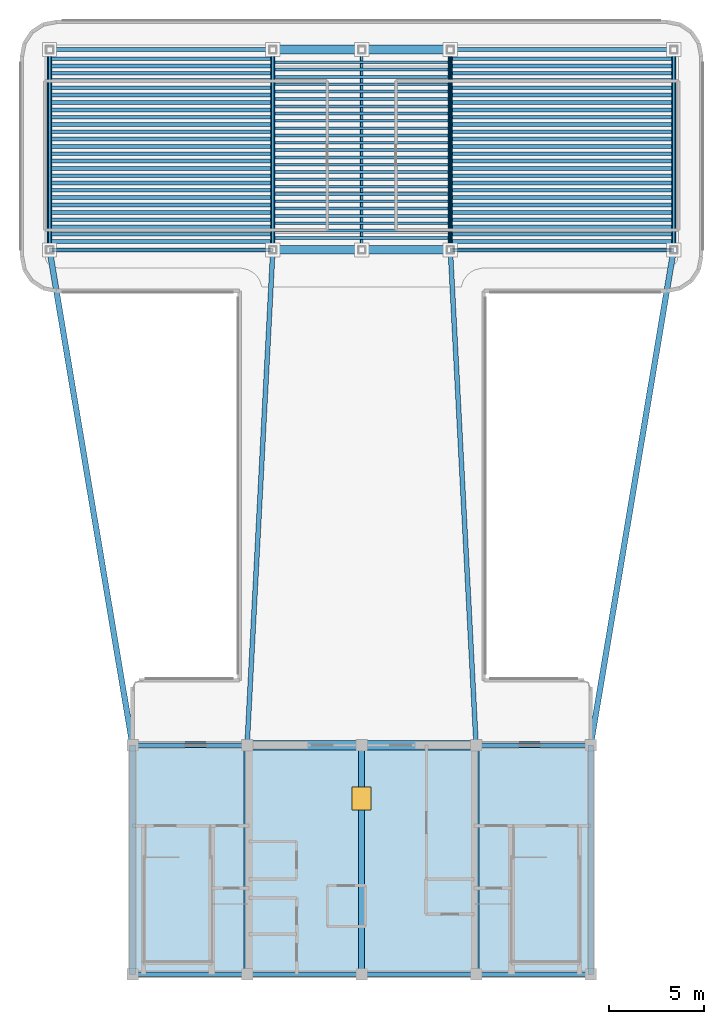
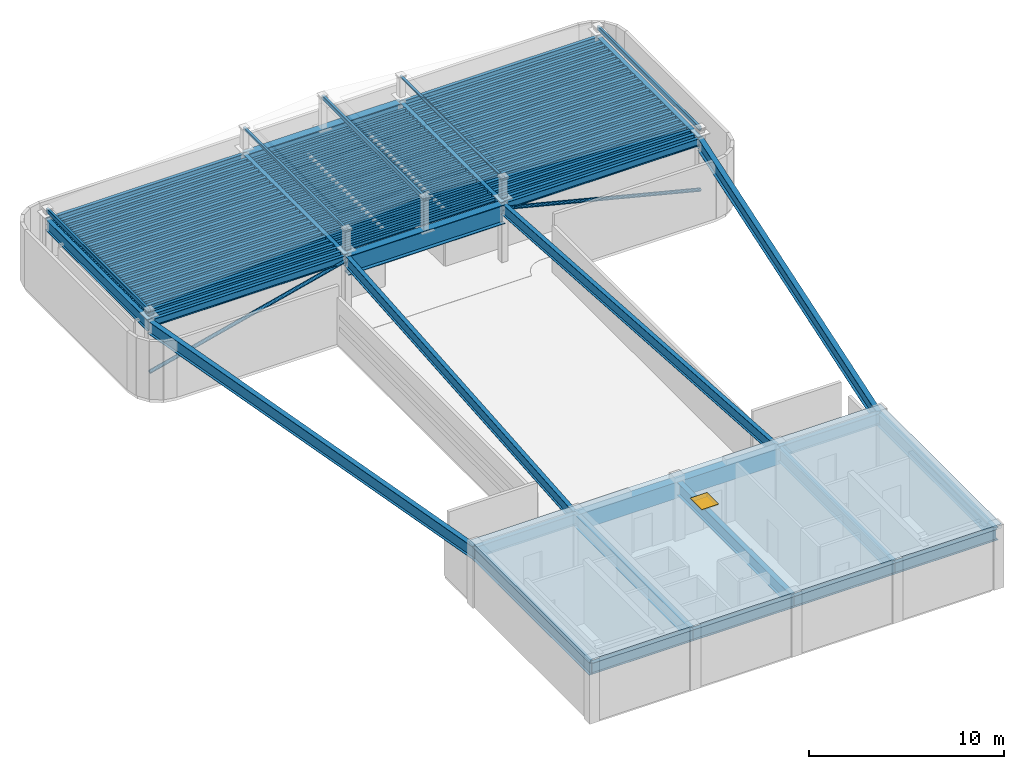
# One storey, part 3 of 7: 103 beams, 7 members, 1 slab, 1 window, 1 opening.
"""IFC4 building model written with IfcOpenShell, lengths in metres."""

from ifc_helpers import new_model, si_unit, direction, frame, origin, origin_2d, place, context, subcontext, project, spatial, polyline, rectangle, hollow_rectangle, hollow_circle, i_section, outline, extrude, source, transform, mapped, material, layer, layer_set, material_profile, profile_set, type_object, element, fill, save


model = new_model("IFC4")

# Units and contexts
model_context = context("Model", 3, precision=1e-05, world=origin(), true_north=direction((0.0, 1.0)))
body_context = subcontext(model_context, "Body", "Model", "MODEL_VIEW")
ifc_project = project(units=[si_unit("LENGTHUNIT", "METRE"), si_unit("AREAUNIT", "SQUARE_METRE"), si_unit("VOLUMEUNIT", "CUBIC_METRE"), si_unit("PLANEANGLEUNIT", "RADIAN"), si_unit("MASSUNIT", "GRAM", prefix="KILO")], contexts=[model_context])

# Site, building, storey
site_placement = place(None, origin())
site = spatial("IfcSite", under=ifc_project, at=site_placement, CompositionType="ELEMENT")
building_placement = place(site_placement, origin())
building = spatial("IfcBuilding", under=site, at=building_placement, Name="Brelvock Crest Care Tower", CompositionType="ELEMENT")
storey_placement = place(building_placement, frame((0.0, 0.0, 315.719970703125)))
storey = spatial("IfcBuildingStorey", under=building, at=storey_placement, Name="L80", CompositionType="ELEMENT", Elevation=315.719970703125)

# Beams
ifc_material_1 = material(Name="Steel Grade 350", Category="steel")
ifc_material_profile_1 = material_profile(ifc_material_1, i_section(OverallWidth=0.25, OverallDepth=0.699951171875, WebThickness=0.011962890625, FlangeThickness=0.02001953125, at=origin_2d()), Name="700WB150")
ifc_profile_set_1 = profile_set([ifc_material_profile_1], Name="Steel Grade 350")
beam_type_1 = type_object("IfcBeamType", Name="BM-G4", PredefinedType="BEAM", material=ifc_profile_set_1)
shared_shape_1 = source(origin(), body_context, "Body", "SweptSolid", [
    extrude(i_section(OverallWidth=0.25, OverallDepth=0.699951171875, WebThickness=0.011962890625, FlangeThickness=0.02001953125, at=origin_2d()), origin(), (0.0, 0.0, 1.0), 6.0),
])
for number, where, z_axis, x_axis, name in (
    (1, (24.0, 6.0, 3.2900390625), (1.0, 0.0, 0.0), (0.0, 1.0, 0.0), "BM-CORES-L80-1"),
    (2, (24.0, 18.0, 3.2900390625), (1.0, 0.0, 0.0), (0.0, 1.0, 0.0), "BM-COREN-L80-1"),
    (3, (30.0, 6.0, 3.2900390625), (1.0, 0.0, 0.0), (0.0, 1.0, 0.0), "BM-CORES-L80-2"),
    (4, (36.0, 6.0, 3.2900390625), (1.0, 0.0, 0.0), (0.0, 1.0, 0.0), "BM-CORES-L80-3"),
    (5, (42.0, 6.0, 3.2900390625), (1.0, 0.0, 0.0), (0.0, 1.0, 0.0), "BM-CORES-L80-4"),
    (6, (42.0, 18.0, 3.2900390625), (1.0, 0.0, 0.0), (0.0, 1.0, 0.0), "BM-COREN-L80-4"),
):
    element("IfcBeam", number, at=place(storey_placement, frame(where, z_axis=z_axis, x_axis=x_axis)), inside=storey, type_object=beam_type_1, Name=name, PredefinedType="BEAM", context=body_context, shape_type="MappedRepresentation", body=[
        mapped(shared_shape_1, transform((0.0, 0.0, 0.0), x_axis=(1.0, 0.0, 0.0), y_axis=(0.0, 1.0, 0.0), z_axis=(0.0, 0.0, 1.0), scale=1.0)),
    ])
ifc_material_profile_2 = material_profile(ifc_material_1, i_section(OverallWidth=0.300048828125, OverallDepth=0.800048828125, WebThickness=0.013916015625, FlangeThickness=0.02197265625, at=origin_2d()), Name="800WB192")
ifc_profile_set_2 = profile_set([ifc_material_profile_2], Name="Steel Grade 350")
beam_type_2 = type_object("IfcBeamType", Name="BM-G5", PredefinedType="BEAM", material=ifc_profile_set_2)
shared_shape_2 = source(origin(), body_context, "Body", "SweptSolid", [
    extrude(i_section(OverallWidth=0.300048828125, OverallDepth=0.800048828125, WebThickness=0.013916015625, FlangeThickness=0.02197265625, at=origin_2d()), origin(), (0.0, 0.0, 1.0), 12.0),
])
for number, where, z_axis, x_axis, name in (
    (7, (24.0, 6.0, 3.239990234375), (0.0, 1.0, 0.0), (-1.0, 0.0, 0.0), "BM-COREX-L80-1"),
    (8, (30.0, 6.0, 3.239990234375), (0.0, 1.0, 0.0), (-1.0, 0.0, 0.0), "BM-COREX-L80-2"),
    (9, (36.0, 6.0, 3.239990234375), (0.0, 1.0, 0.0), (-1.0, 0.0, 0.0), "BM-COREX-L80-3"),
    (10, (42.0, 6.0, 3.239990234375), (0.0, 1.0, 0.0), (-1.0, 0.0, 0.0), "BM-COREX-L80-4"),
    (11, (48.0, 6.0, 3.239990234375), (0.0, 1.0, 0.0), (-1.0, 0.0, 0.0), "BM-COREX-L80-5"),
):
    element("IfcBeam", number, at=place(storey_placement, frame(where, z_axis=z_axis, x_axis=x_axis)), inside=storey, type_object=beam_type_2, Name=name, PredefinedType="BEAM", context=body_context, shape_type="MappedRepresentation", body=[
        mapped(shared_shape_2, transform((0.0, 0.0, 0.0), x_axis=(1.0, 0.0, 0.0), y_axis=(0.0, 1.0, 0.0), z_axis=(0.0, 0.0, 1.0), scale=1.0)),
    ])
shared_shape_3 = source(origin(), body_context, "Body", "SweptSolid", [
    extrude(i_section(OverallWidth=0.25, OverallDepth=0.699951171875, WebThickness=0.011962890625, FlangeThickness=0.02001953125, at=origin_2d()), origin(), (0.0, 0.0, 1.0), 10.5),
])
for number, where, z_axis, x_axis, name in (
    (12, (19.64990234375, 43.949951171875, 3.2900390625), (0.0, 1.0, 0.0), (-1.0, 0.0, 0.0), "BM-TWR-L80-01"),
    (13, (52.35009765625, 43.949951171875, 3.2900390625), (0.0, 1.0, 0.0), (-1.0, 0.0, 0.0), "BM-TWR-L80-02"),
    (14, (31.35009765625, 43.949951171875, 3.2900390625), (0.0, 1.0, 0.0), (-1.0, 0.0, 0.0), "BM-TWR-L80-09"),
    (15, (40.64990234375, 43.949951171875, 3.2900390625), (0.0, 1.0, 0.0), (-1.0, 0.0, 0.0), "BM-TWR-L80-10"),
):
    element("IfcBeam", number, at=place(storey_placement, frame(where, z_axis=z_axis, x_axis=x_axis)), inside=storey, type_object=beam_type_1, Name=name, PredefinedType="BEAM", context=body_context, shape_type="MappedRepresentation", body=[
        mapped(shared_shape_3, transform((0.0, 0.0, 0.0), x_axis=(1.0, 0.0, 0.0), y_axis=(0.0, 1.0, 0.0), z_axis=(0.0, 0.0, 1.0), scale=1.0)),
    ])
ifc_material_profile_3 = material_profile(ifc_material_1, i_section(OverallWidth=0.14599609375, OverallDepth=0.256103515625, WebThickness=0.00634765625, FlangeThickness=0.010986328125, FilletRadius=0.0087890625, at=origin_2d()), Name="250UB37.3")
ifc_profile_set_3 = profile_set([ifc_material_profile_3], Name="Steel Grade 350")
beam_type_3 = type_object("IfcBeamType", Name="BM-J3", PredefinedType="JOIST", material=ifc_profile_set_3)
shared_shape_4 = source(origin(), body_context, "Body", "SweptSolid", [
    extrude(i_section(OverallWidth=0.14599609375, OverallDepth=0.256103515625, WebThickness=0.00634765625, FlangeThickness=0.010986328125, FilletRadius=0.0087890625, at=origin_2d()), origin(), (0.0, 0.0, 1.0), 9.06982421875),
])
for number, where, z_axis, x_axis, name in (
    (16, (31.465087890625, 44.58251953125, 3.511962890625), (1.0, 0.0, 0.0), (0.0, 1.0, 0.0), "BM-JH-L80-1"),
    (17, (31.465087890625, 44.9658203125, 3.511962890625), (1.0, 0.0, 0.0), (0.0, 1.0, 0.0), "BM-JH-L80-2"),
    (18, (31.465087890625, 45.34912109375, 3.511962890625), (1.0, 0.0, 0.0), (0.0, 1.0, 0.0), "BM-JH-L80-3"),
    (19, (31.465087890625, 45.732421875, 3.511962890625), (1.0, 0.0, 0.0), (0.0, 1.0, 0.0), "BM-JH-L80-4"),
    (20, (31.465087890625, 46.115478515625, 3.511962890625), (1.0, 0.0, 0.0), (0.0, 1.0, 0.0), "BM-JH-L80-5"),
    (21, (31.465087890625, 46.498779296875, 3.511962890625), (1.0, 0.0, 0.0), (0.0, 1.0, 0.0), "BM-JH-L80-6"),
    (22, (31.465087890625, 46.882080078125, 3.511962890625), (1.0, 0.0, 0.0), (0.0, 1.0, 0.0), "BM-JH-L80-7"),
    (23, (31.465087890625, 47.265380859375, 3.511962890625), (1.0, 0.0, 0.0), (0.0, 1.0, 0.0), "BM-JH-L80-8"),
    (24, (31.465087890625, 47.648681640625, 3.511962890625), (1.0, 0.0, 0.0), (0.0, 1.0, 0.0), "BM-JH-L80-9"),
    (25, (31.465087890625, 48.031982421875, 3.511962890625), (1.0, 0.0, 0.0), (0.0, 1.0, 0.0), "BM-JH-L80-10"),
    (26, (31.465087890625, 48.4150390625, 3.511962890625), (1.0, 0.0, 0.0), (0.0, 1.0, 0.0), "BM-JH-L80-11"),
    (27, (31.465087890625, 48.79833984375, 3.511962890625), (1.0, 0.0, 0.0), (0.0, 1.0, 0.0), "BM-JH-L80-12"),
    (28, (31.465087890625, 49.181640625, 3.511962890625), (1.0, 0.0, 0.0), (0.0, 1.0, 0.0), "BM-JH-L80-13"),
    (29, (31.465087890625, 49.564697265625, 3.511962890625), (1.0, 0.0, 0.0), (0.0, 1.0, 0.0), "BM-JH-L80-14"),
    (30, (31.465087890625, 49.947998046875, 3.511962890625), (1.0, 0.0, 0.0), (0.0, 1.0, 0.0), "BM-JH-L80-15"),
    (31, (31.465087890625, 50.331298828125, 3.511962890625), (1.0, 0.0, 0.0), (0.0, 1.0, 0.0), "BM-JH-L80-16"),
    (32, (31.465087890625, 50.714599609375, 3.511962890625), (1.0, 0.0, 0.0), (0.0, 1.0, 0.0), "BM-JH-L80-17"),
    (33, (31.465087890625, 51.097900390625, 3.511962890625), (1.0, 0.0, 0.0), (0.0, 1.0, 0.0), "BM-JH-L80-18"),
    (34, (31.465087890625, 51.481201171875, 3.511962890625), (1.0, 0.0, 0.0), (0.0, 1.0, 0.0), "BM-JH-L80-19"),
    (35, (31.465087890625, 51.864501953125, 3.511962890625), (1.0, 0.0, 0.0), (0.0, 1.0, 0.0), "BM-JH-L80-20"),
    (36, (31.465087890625, 52.24755859375, 3.511962890625), (1.0, 0.0, 0.0), (0.0, 1.0, 0.0), "BM-JH-L80-21"),
    (37, (31.465087890625, 52.630859375, 3.511962890625), (1.0, 0.0, 0.0), (0.0, 1.0, 0.0), "BM-JH-L80-22"),
    (38, (31.465087890625, 53.01416015625, 3.511962890625), (1.0, 0.0, 0.0), (0.0, 1.0, 0.0), "BM-JH-L80-23"),
    (39, (31.465087890625, 53.3974609375, 3.511962890625), (1.0, 0.0, 0.0), (0.0, 1.0, 0.0), "BM-JH-L80-24"),
    (40, (31.465087890625, 53.780517578125, 3.511962890625), (1.0, 0.0, 0.0), (0.0, 1.0, 0.0), "BM-JH-L80-25"),
):
    element("IfcBeam", number, at=place(storey_placement, frame(where, z_axis=z_axis, x_axis=x_axis)), inside=storey, type_object=beam_type_3, Name=name, PredefinedType="JOIST", context=body_context, shape_type="MappedRepresentation", body=[
        mapped(shared_shape_4, transform((0.0, 0.0, 0.0), x_axis=(1.0, 0.0, 0.0), y_axis=(0.0, 1.0, 0.0), z_axis=(0.0, 0.0, 1.0), scale=1.0)),
    ])
ifc_material_2 = material(Name="Concrete S65 (65 MPa)", Category="concrete")
ifc_material_profile_4 = material_profile(ifc_material_2, rectangle(XDim=0.5, YDim=1.0, at=origin_2d()), Name="RC500x1000")
ifc_profile_set_4 = profile_set([ifc_material_profile_4], Name="Concrete S65 (65 MPa)")
beam_type_4 = type_object("IfcBeamType", Name="BM-LN2", PredefinedType="LINTEL", material=ifc_profile_set_4)
shared_shape_5 = source(origin(), body_context, "Body", "SweptSolid", [
    extrude(rectangle(XDim=0.5, YDim=1.0, at=origin_2d()), origin(), (0.0, 0.0, 1.0), 12.0),
])
beam_placement = place(storey_placement, frame((30.0, 18.0, 3.14013671875), z_axis=(1.0, 0.0, 0.0), x_axis=(0.0, 1.0, 0.0)))
element("IfcBeam", 41, at=beam_placement, inside=storey, type_object=beam_type_4, Name="L80 Core Coupling Lintel Beam", PredefinedType="LINTEL", context=body_context, shape_type="MappedRepresentation", body=[
    mapped(shared_shape_5, transform((0.0, 0.0, 0.0), x_axis=(1.0, 0.0, 0.0), y_axis=(0.0, 1.0, 0.0), z_axis=(0.0, 0.0, 1.0), scale=1.0)),
])
ifc_material_profile_5 = material_profile(ifc_material_1, i_section(OverallWidth=0.19091796875, OverallDepth=0.4599609375, WebThickness=0.010009765625, FlangeThickness=0.01611328125, FilletRadius=0.011474609375, at=origin_2d()), Name="460UB82.1")
ifc_profile_set_5 = profile_set([ifc_material_profile_5], Name="Steel Grade 350")
beam_type_5 = type_object("IfcBeamType", Name="BM-G3", PredefinedType="BEAM", material=ifc_profile_set_5)
shared_shape_6 = source(origin(), body_context, "Body", "SweptSolid", [
    extrude(i_section(OverallWidth=0.19091796875, OverallDepth=0.4599609375, WebThickness=0.010009765625, FlangeThickness=0.01611328125, FilletRadius=0.011474609375, at=origin_2d()), origin(), (0.0, 0.0, 1.0), 11.47021484375),
])
for number, where, z_axis, x_axis, name in (
    (42, (19.764892578125, 44.7744140625, 3.409912109375), (1.0, 0.0, 0.0), (0.0, 1.0, 0.0), "BM-JW-L80-2"),
    (43, (40.764892578125, 44.7744140625, 3.409912109375), (1.0, 0.0, 0.0), (0.0, 1.0, 0.0), "BM-JE-L80-2"),
    (44, (19.764892578125, 45.540771484375, 3.409912109375), (1.0, 0.0, 0.0), (0.0, 1.0, 0.0), "BM-JW-L80-4"),
    (45, (40.764892578125, 45.540771484375, 3.409912109375), (1.0, 0.0, 0.0), (0.0, 1.0, 0.0), "BM-JE-L80-4"),
    (46, (19.764892578125, 46.307373046875, 3.409912109375), (1.0, 0.0, 0.0), (0.0, 1.0, 0.0), "BM-JW-L80-6"),
    (47, (40.764892578125, 46.307373046875, 3.409912109375), (1.0, 0.0, 0.0), (0.0, 1.0, 0.0), "BM-JE-L80-6"),
    (48, (19.764892578125, 47.07373046875, 3.409912109375), (1.0, 0.0, 0.0), (0.0, 1.0, 0.0), "BM-JW-L80-8"),
    (49, (40.764892578125, 47.07373046875, 3.409912109375), (1.0, 0.0, 0.0), (0.0, 1.0, 0.0), "BM-JE-L80-8"),
    (50, (19.764892578125, 47.84033203125, 3.409912109375), (1.0, 0.0, 0.0), (0.0, 1.0, 0.0), "BM-JW-L80-10"),
    (51, (40.764892578125, 47.84033203125, 3.409912109375), (1.0, 0.0, 0.0), (0.0, 1.0, 0.0), "BM-JE-L80-10"),
    (52, (19.764892578125, 48.606689453125, 3.409912109375), (1.0, 0.0, 0.0), (0.0, 1.0, 0.0), "BM-JW-L80-12"),
    (53, (40.764892578125, 48.606689453125, 3.409912109375), (1.0, 0.0, 0.0), (0.0, 1.0, 0.0), "BM-JE-L80-12"),
    (54, (19.764892578125, 49.373291015625, 3.409912109375), (1.0, 0.0, 0.0), (0.0, 1.0, 0.0), "BM-JW-L80-14"),
    (55, (40.764892578125, 49.373291015625, 3.409912109375), (1.0, 0.0, 0.0), (0.0, 1.0, 0.0), "BM-JE-L80-14"),
    (56, (19.764892578125, 50.139892578125, 3.409912109375), (1.0, 0.0, 0.0), (0.0, 1.0, 0.0), "BM-JW-L80-16"),
    (57, (40.764892578125, 50.139892578125, 3.409912109375), (1.0, 0.0, 0.0), (0.0, 1.0, 0.0), "BM-JE-L80-16"),
    (58, (19.764892578125, 50.90625, 3.409912109375), (1.0, 0.0, 0.0), (0.0, 1.0, 0.0), "BM-JW-L80-18"),
    (59, (40.764892578125, 50.90625, 3.409912109375), (1.0, 0.0, 0.0), (0.0, 1.0, 0.0), "BM-JE-L80-18"),
    (60, (19.764892578125, 51.6728515625, 3.409912109375), (1.0, 0.0, 0.0), (0.0, 1.0, 0.0), "BM-JW-L80-20"),
    (61, (40.764892578125, 51.6728515625, 3.409912109375), (1.0, 0.0, 0.0), (0.0, 1.0, 0.0), "BM-JE-L80-20"),
    (62, (19.764892578125, 52.439208984375, 3.409912109375), (1.0, 0.0, 0.0), (0.0, 1.0, 0.0), "BM-JW-L80-22"),
    (63, (40.764892578125, 52.439208984375, 3.409912109375), (1.0, 0.0, 0.0), (0.0, 1.0, 0.0), "BM-JE-L80-22"),
    (64, (19.764892578125, 53.205810546875, 3.409912109375), (1.0, 0.0, 0.0), (0.0, 1.0, 0.0), "BM-JW-L80-24"),
    (65, (40.764892578125, 53.205810546875, 3.409912109375), (1.0, 0.0, 0.0), (0.0, 1.0, 0.0), "BM-JE-L80-24"),
    (66, (19.764892578125, 53.972412109375, 3.409912109375), (1.0, 0.0, 0.0), (0.0, 1.0, 0.0), "BM-JW-L80-26"),
    (67, (40.764892578125, 53.972412109375, 3.409912109375), (1.0, 0.0, 0.0), (0.0, 1.0, 0.0), "BM-JE-L80-26"),
):
    element("IfcBeam", number, at=place(storey_placement, frame(where, z_axis=z_axis, x_axis=x_axis)), inside=storey, type_object=beam_type_5, Name=name, PredefinedType="BEAM", context=body_context, shape_type="MappedRepresentation", body=[
        mapped(shared_shape_6, transform((0.0, 0.0, 0.0), x_axis=(1.0, 0.0, 0.0), y_axis=(0.0, 1.0, 0.0), z_axis=(0.0, 0.0, 1.0), scale=1.0)),
    ])
ifc_material_profile_6 = material_profile(ifc_material_1, i_section(OverallWidth=0.208984375, OverallDepth=0.532958984375, WebThickness=0.01025390625, FlangeThickness=0.015625, FilletRadius=0.013916015625, at=origin_2d()), Name="530UB92.4")
ifc_profile_set_6 = profile_set([ifc_material_profile_6], Name="Steel Grade 350")
beam_type_6 = type_object("IfcBeamType", Name="BM-G2", PredefinedType="BEAM", material=ifc_profile_set_6)
shared_shape_7 = source(origin(), body_context, "Body", "SweptSolid", [
    extrude(i_section(OverallWidth=0.208984375, OverallDepth=0.532958984375, WebThickness=0.01025390625, FlangeThickness=0.015625, FilletRadius=0.013916015625, at=origin_2d()), origin(), (0.0, 0.0, 1.0), 11.47021484375),
])
for number, where, z_axis, x_axis, name in (
    (68, (19.764892578125, 44.39111328125, 3.37353515625), (1.0, 0.0, 0.0), (0.0, 1.0, 0.0), "BM-JW-L80-1"),
    (69, (40.764892578125, 44.39111328125, 3.37353515625), (1.0, 0.0, 0.0), (0.0, 1.0, 0.0), "BM-JE-L80-1"),
    (70, (19.764892578125, 45.157470703125, 3.37353515625), (1.0, 0.0, 0.0), (0.0, 1.0, 0.0), "BM-JW-L80-3"),
    (71, (40.764892578125, 45.157470703125, 3.37353515625), (1.0, 0.0, 0.0), (0.0, 1.0, 0.0), "BM-JE-L80-3"),
    (72, (19.764892578125, 45.924072265625, 3.37353515625), (1.0, 0.0, 0.0), (0.0, 1.0, 0.0), "BM-JW-L80-5"),
    (73, (40.764892578125, 45.924072265625, 3.37353515625), (1.0, 0.0, 0.0), (0.0, 1.0, 0.0), "BM-JE-L80-5"),
    (74, (19.764892578125, 46.6904296875, 3.37353515625), (1.0, 0.0, 0.0), (0.0, 1.0, 0.0), "BM-JW-L80-7"),
    (75, (40.764892578125, 46.6904296875, 3.37353515625), (1.0, 0.0, 0.0), (0.0, 1.0, 0.0), "BM-JE-L80-7"),
    (76, (19.764892578125, 47.45703125, 3.37353515625), (1.0, 0.0, 0.0), (0.0, 1.0, 0.0), "BM-JW-L80-9"),
    (77, (40.764892578125, 47.45703125, 3.37353515625), (1.0, 0.0, 0.0), (0.0, 1.0, 0.0), "BM-JE-L80-9"),
    (78, (19.764892578125, 48.223388671875, 3.37353515625), (1.0, 0.0, 0.0), (0.0, 1.0, 0.0), "BM-JW-L80-11"),
    (79, (40.764892578125, 48.223388671875, 3.37353515625), (1.0, 0.0, 0.0), (0.0, 1.0, 0.0), "BM-JE-L80-11"),
    (80, (19.764892578125, 48.989990234375, 3.37353515625), (1.0, 0.0, 0.0), (0.0, 1.0, 0.0), "BM-JW-L80-13"),
    (81, (40.764892578125, 48.989990234375, 3.37353515625), (1.0, 0.0, 0.0), (0.0, 1.0, 0.0), "BM-JE-L80-13"),
    (82, (19.764892578125, 49.756591796875, 3.37353515625), (1.0, 0.0, 0.0), (0.0, 1.0, 0.0), "BM-JW-L80-15"),
    (83, (40.764892578125, 49.756591796875, 3.37353515625), (1.0, 0.0, 0.0), (0.0, 1.0, 0.0), "BM-JE-L80-15"),
    (84, (19.764892578125, 50.52294921875, 3.37353515625), (1.0, 0.0, 0.0), (0.0, 1.0, 0.0), "BM-JW-L80-17"),
    (85, (40.764892578125, 50.52294921875, 3.37353515625), (1.0, 0.0, 0.0), (0.0, 1.0, 0.0), "BM-JE-L80-17"),
    (86, (19.764892578125, 51.28955078125, 3.37353515625), (1.0, 0.0, 0.0), (0.0, 1.0, 0.0), "BM-JW-L80-19"),
    (87, (40.764892578125, 51.28955078125, 3.37353515625), (1.0, 0.0, 0.0), (0.0, 1.0, 0.0), "BM-JE-L80-19"),
    (88, (19.764892578125, 52.055908203125, 3.37353515625), (1.0, 0.0, 0.0), (0.0, 1.0, 0.0), "BM-JW-L80-21"),
    (89, (40.764892578125, 52.055908203125, 3.37353515625), (1.0, 0.0, 0.0), (0.0, 1.0, 0.0), "BM-JE-L80-21"),
    (90, (19.764892578125, 52.822509765625, 3.37353515625), (1.0, 0.0, 0.0), (0.0, 1.0, 0.0), "BM-JW-L80-23"),
    (91, (40.764892578125, 52.822509765625, 3.37353515625), (1.0, 0.0, 0.0), (0.0, 1.0, 0.0), "BM-JE-L80-23"),
    (92, (19.764892578125, 53.589111328125, 3.37353515625), (1.0, 0.0, 0.0), (0.0, 1.0, 0.0), "BM-JW-L80-25"),
    (93, (40.764892578125, 53.589111328125, 3.37353515625), (1.0, 0.0, 0.0), (0.0, 1.0, 0.0), "BM-JE-L80-25"),
):
    element("IfcBeam", number, at=place(storey_placement, frame(where, z_axis=z_axis, x_axis=x_axis)), inside=storey, type_object=beam_type_6, Name=name, PredefinedType="BEAM", context=body_context, shape_type="MappedRepresentation", body=[
        mapped(shared_shape_7, transform((0.0, 0.0, 0.0), x_axis=(1.0, 0.0, 0.0), y_axis=(0.0, 1.0, 0.0), z_axis=(0.0, 0.0, 1.0), scale=1.0)),
    ])
ifc_material_profile_7 = material_profile(ifc_material_1, i_section(OverallWidth=0.19091796875, OverallDepth=0.4599609375, WebThickness=0.010009765625, FlangeThickness=0.01611328125, FilletRadius=0.011474609375, at=origin_2d()), Name="460UB82.1")
ifc_profile_set_7 = profile_set([ifc_material_profile_7], Name="Steel Grade 350")
beam_type_7 = type_object("IfcBeamType", Name="BM-SP2", PredefinedType="SPANDREL", material=ifc_profile_set_7)
shared_shape_8 = source(origin(), body_context, "Body", "SweptSolid", [
    extrude(i_section(OverallWidth=0.19091796875, OverallDepth=0.4599609375, WebThickness=0.010009765625, FlangeThickness=0.01611328125, FilletRadius=0.011474609375, at=origin_2d()), origin(), (0.0, 0.0, 1.0), 11.7001953125),
])
for number, where, z_axis, x_axis, name in (
    (94, (19.64990234375, 43.949951171875, 3.409912109375), (1.0, 0.0, 0.0), (0.0, 1.0, 0.0), "BM-TWR-L80-03"),
    (95, (40.64990234375, 43.949951171875, 3.409912109375), (1.0, 0.0, 0.0), (0.0, 1.0, 0.0), "BM-TWR-L80-04"),
    (96, (19.64990234375, 54.449951171875, 3.409912109375), (1.0, 0.0, 0.0), (0.0, 1.0, 0.0), "BM-TWR-L80-06"),
    (97, (40.64990234375, 54.449951171875, 3.409912109375), (1.0, 0.0, 0.0), (0.0, 1.0, 0.0), "BM-TWR-L80-07"),
):
    element("IfcBeam", number, at=place(storey_placement, frame(where, z_axis=z_axis, x_axis=x_axis)), inside=storey, type_object=beam_type_7, Name=name, PredefinedType="SPANDREL", context=body_context, shape_type="MappedRepresentation", body=[
        mapped(shared_shape_8, transform((0.0, 0.0, 0.0), x_axis=(1.0, 0.0, 0.0), y_axis=(0.0, 1.0, 0.0), z_axis=(0.0, 0.0, 1.0), scale=1.0)),
    ])
shared_shape_9 = source(origin(), body_context, "Body", "SweptSolid", [
    extrude(i_section(OverallWidth=0.25, OverallDepth=0.699951171875, WebThickness=0.011962890625, FlangeThickness=0.02001953125, at=origin_2d()), origin(), (0.0, 0.0, 1.0), 25.985107421875),
])
for number, where, z_axis, x_axis, name in (
    (98, (30.0, 18.0, 3.2900390625), (0.051956711656, 0.998649337913, 0.0), (-0.998649337913, 0.051956711656, 0.0), "BM-THRW-L80"),
    (99, (42.0, 18.0, 3.2900390625), (-0.051956711656, 0.998649337913, 0.0), (-0.998649337913, -0.051956711656, 0.0), "BM-THRE-L80"),
):
    element("IfcBeam", number, at=place(storey_placement, frame(where, z_axis=z_axis, x_axis=x_axis)), inside=storey, type_object=beam_type_1, Name=name, PredefinedType="BEAM", context=body_context, shape_type="MappedRepresentation", body=[
        mapped(shared_shape_9, transform((0.0, 0.0, 0.0), x_axis=(1.0, 0.0, 0.0), y_axis=(0.0, 1.0, 0.0), z_axis=(0.0, 0.0, 1.0), scale=1.0)),
    ])
shared_shape_10 = source(origin(), body_context, "Body", "SweptSolid", [
    extrude(i_section(OverallWidth=0.300048828125, OverallDepth=0.800048828125, WebThickness=0.013916015625, FlangeThickness=0.02197265625, at=origin_2d()), origin(), (0.0, 0.0, 1.0), 26.31201171875),
])
for number, where, z_axis, x_axis, name in (
    (100, (24.0, 18.0, 3.239990234375), (-0.165327282709, 0.986238758918, 0.0), (-0.986238758918, -0.165327282709, 0.0), "BM-THRO-W-L80"),
    (101, (48.0, 18.0, 3.239990234375), (0.165327282709, 0.986238758918, 0.0), (-0.986238758918, 0.165327282709, 0.0), "BM-THRO-E-L80"),
):
    element("IfcBeam", number, at=place(storey_placement, frame(where, z_axis=z_axis, x_axis=x_axis)), inside=storey, type_object=beam_type_2, Name=name, PredefinedType="BEAM", context=body_context, shape_type="MappedRepresentation", body=[
        mapped(shared_shape_10, transform((0.0, 0.0, 0.0), x_axis=(1.0, 0.0, 0.0), y_axis=(0.0, 1.0, 0.0), z_axis=(0.0, 0.0, 1.0), scale=1.0)),
    ])
ifc_material_profile_8 = material_profile(ifc_material_1, i_section(OverallWidth=0.449951171875, OverallDepth=1.199951171875, WebThickness=0.02001953125, FlangeThickness=0.035888671875, at=origin_2d()), Name="1200WB423")
ifc_profile_set_8 = profile_set([ifc_material_profile_8], Name="Steel Grade 350")
beam_type_8 = type_object("IfcBeamType", Name="BM-TG3", PredefinedType="USERDEFINED", material=ifc_profile_set_8)
shared_shape_11 = source(origin(), body_context, "Body", "SweptSolid", [
    extrude(i_section(OverallWidth=0.449951171875, OverallDepth=1.199951171875, WebThickness=0.02001953125, FlangeThickness=0.035888671875, at=origin_2d()), origin(), (0.0, 0.0, 1.0), 9.2998046875),
])
for number, where, z_axis, x_axis, name in (
    (102, (31.35009765625, 43.949951171875, 3.0400390625), (1.0, 0.0, 0.0), (0.0, 1.0, 0.0), "BM-TWR-L80-05"),
    (103, (31.35009765625, 54.449951171875, 3.0400390625), (1.0, 0.0, 0.0), (0.0, 1.0, 0.0), "BM-TWR-L80-08"),
):
    element("IfcBeam", number, at=place(storey_placement, frame(where, z_axis=z_axis, x_axis=x_axis)), inside=storey, type_object=beam_type_8, Name=name, ObjectType="GIRDER", PredefinedType="USERDEFINED", context=body_context, shape_type="MappedRepresentation", body=[
        mapped(shared_shape_11, transform((0.0, 0.0, 0.0), x_axis=(1.0, 0.0, 0.0), y_axis=(0.0, 1.0, 0.0), z_axis=(0.0, 0.0, 1.0), scale=1.0)),
    ])

# Members
ifc_material_profile_9 = material_profile(ifc_material_1, hollow_circle(Radius=0.109619140625, WallThickness=0.00830078125, at=origin_2d()), Name="CHS219.1x8.2")
ifc_profile_set_9 = profile_set([ifc_material_profile_9], Name="Steel Grade 350")
member_type_1 = type_object("IfcMemberType", Name="MEM-ST3", PredefinedType="STRUT", material=ifc_profile_set_9)
shared_shape_12 = source(origin(), body_context, "Body", "SweptSolid", [
    extrude(hollow_circle(Radius=0.109619140625, WallThickness=0.00830078125, at=origin_2d()), origin(), (0.0, 0.0, 1.0), 12.06396484375),
])
for number, where, z_axis, x_axis, name in (
    (104, (19.64990234375, 43.949951171875, 0.35009765625), (0.969851339946, 0.0, 0.243697308982), (0.0, 1.0, 0.0), "L80 Crown Frame Strut CST-W"),
    (105, (52.35009765625, 43.949951171875, 0.35009765625), (-0.969851339946, 0.0, 0.243697308982), (0.0, -1.0, 0.0), "L80 Crown Frame Strut CST-E"),
):
    element("IfcMember", number, at=place(storey_placement, frame(where, z_axis=z_axis, x_axis=x_axis)), inside=storey, type_object=member_type_1, Name=name, PredefinedType="STRUT", context=body_context, shape_type="MappedRepresentation", body=[
        mapped(shared_shape_12, transform((0.0, 0.0, 0.0), x_axis=(1.0, 0.0, 0.0), y_axis=(0.0, 1.0, 0.0), z_axis=(0.0, 0.0, 1.0), scale=1.0)),
    ])
ifc_material_profile_10 = material_profile(ifc_material_1, hollow_rectangle(XDim=0.14990234375, YDim=0.25, WallThickness=0.009033203125, OuterFilletRadius=0.01806640625, at=origin_2d()), Name="RHS250x150x9.0")
ifc_profile_set_10 = profile_set([ifc_material_profile_10], Name="Steel Grade 350")
member_type_2 = type_object("IfcMemberType", Name="MEM-PR1", PredefinedType="PURLIN", material=ifc_profile_set_10)
shared_shape_13 = source(origin(), body_context, "Body", "SweptSolid", [
    extrude(hollow_rectangle(XDim=0.14990234375, YDim=0.25, WallThickness=0.009033203125, OuterFilletRadius=0.01806640625, at=origin_2d()), origin(), (0.0, 0.0, 1.0), 10.5),
])
for number, where, z_axis, x_axis, name in (
    (106, (19.64990234375, 43.949951171875, 4.174072265625), (0.0, 1.0, 0.0), (-1.0, 0.0, 0.0), "L80 Canopy Roof Purlin CPR-01"),
    (107, (36.0, 43.949951171875, 5.5400390625), (0.0, 1.0, 0.0), (-1.0, 0.0, 0.0), "L80 Canopy Roof Purlin CPR-03"),
    (108, (52.35009765625, 43.949951171875, 4.174072265625), (0.0, 1.0, 0.0), (-1.0, 0.0, 0.0), "L80 Canopy Roof Purlin CPR-05"),
):
    element("IfcMember", number, at=place(storey_placement, frame(where, z_axis=z_axis, x_axis=x_axis)), inside=storey, type_object=member_type_2, Name=name, PredefinedType="PURLIN", context=body_context, shape_type="MappedRepresentation", body=[
        mapped(shared_shape_13, transform((0.0, 0.0, 0.0), x_axis=(1.0, 0.0, 0.0), y_axis=(0.0, 1.0, 0.0), z_axis=(0.0, 0.0, 1.0), scale=1.0)),
    ])
ifc_material_profile_11 = material_profile(ifc_material_1, hollow_rectangle(XDim=0.14990234375, YDim=0.14990234375, WallThickness=0.009033203125, OuterFilletRadius=0.01806640625, at=origin_2d()), Name="SHS150x150x9.0")
ifc_profile_set_11 = profile_set([ifc_material_profile_11], Name="Steel Grade 350")
member_type_3 = type_object("IfcMemberType", Name="MEM-PR2", PredefinedType="PURLIN", material=ifc_profile_set_11)
shared_shape_14 = source(origin(), body_context, "Body", "SweptSolid", [
    extrude(hollow_rectangle(XDim=0.14990234375, YDim=0.14990234375, WallThickness=0.009033203125, OuterFilletRadius=0.01806640625, at=origin_2d()), origin(), (0.0, 0.0, 1.0), 10.5),
])
member_1_placement = place(storey_placement, frame((31.35009765625, 43.949951171875, 5.214599609375), z_axis=(0.0, 1.0, 0.0), x_axis=(-1.0, 0.0, 0.0)))
element("IfcMember", 109, at=member_1_placement, inside=storey, type_object=member_type_3, Name="L80 Canopy Roof Purlin CPR-02", PredefinedType="PURLIN", context=body_context, shape_type="MappedRepresentation", body=[
    mapped(shared_shape_14, transform((0.0, 0.0, 0.0), x_axis=(1.0, 0.0, 0.0), y_axis=(0.0, 1.0, 0.0), z_axis=(0.0, 0.0, 1.0), scale=1.0)),
])
ifc_material_profile_12 = material_profile(ifc_material_1, hollow_circle(Radius=0.084228515625, WallThickness=0.00634765625, at=origin_2d()), Name="CHS168.3x6.4")
ifc_profile_set_12 = profile_set([ifc_material_profile_12], Name="Steel Grade 350")
member_type_4 = type_object("IfcMemberType", Name="MEM-PR3", PredefinedType="PURLIN", material=ifc_profile_set_12)
shared_shape_15 = source(origin(), body_context, "Body", "SweptSolid", [
    extrude(hollow_circle(Radius=0.084228515625, WallThickness=0.00634765625, at=origin_2d()), origin(), (0.0, 0.0, 1.0), 10.5),
])
member_2_placement = place(storey_placement, frame((40.64990234375, 43.949951171875, 5.20556640625), z_axis=(0.0, 1.0, 0.0), x_axis=(-1.0, 0.0, 0.0)))
element("IfcMember", 110, at=member_2_placement, inside=storey, type_object=member_type_4, Name="L80 Canopy Roof Purlin CPR-04", PredefinedType="PURLIN", context=body_context, shape_type="MappedRepresentation", body=[
    mapped(shared_shape_15, transform((0.0, 0.0, 0.0), x_axis=(1.0, 0.0, 0.0), y_axis=(0.0, 1.0, 0.0), z_axis=(0.0, 0.0, 1.0), scale=1.0)),
])

# Slab, opening, window
ifc_material_3 = material(Name="Concrete N50 (50 MPa)", Category="concrete")
ifc_layer = layer(ifc_material_3, 0.280029296875, Name="SLB-FL2")
ifc_layer_set = layer_set([ifc_layer], Name="Concrete N50 (50 MPa)")
slab_type = type_object("IfcSlabType", Name="SLB-FL2", PredefinedType="FLOOR", material=ifc_layer_set)
slab_placement = place(storey_placement, frame((0.0, 0.0, 3.679931640625)))
slab = element("IfcSlab", 111, at=slab_placement, inside=storey, type_object=slab_type, Name="L80 Core Overrun Structural Capping Slab", PredefinedType="FLOOR", context=body_context, shape_type="SweptSolid", body=[
    extrude(outline(polyline([(23.800048828125, 5.800048828125), (48.199951171875, 5.800048828125), (48.199951171875, 18.199951171875), (23.800048828125, 18.199951171875), (23.800048828125, 5.800048828125)])), origin(), (0.0, 0.0, 1.0), 0.280029296875),
])
opening_placement = place(slab_placement, frame((36.0, 15.199951171875, -0.010009765625)))
opening = element("IfcOpeningElement", 112, at=opening_placement, cuts=slab, Name="Opening RH-1", PredefinedType="OPENING", context=body_context, shape_type="SweptSolid", body=[
    extrude(rectangle(XDim=1.0, YDim=1.199951171875, at=origin_2d()), origin(), (0.0, 0.0, 1.0), 0.300048828125),
])
ifc_material_4 = material(Name="Aluminium 6063-T6", Category="aluminium")
window_type = type_object("IfcWindowType", Name="WN-RH1", PartitioningType="SINGLE_PANEL", PredefinedType="SKYLIGHT", material=ifc_material_4)
window_placement = place(opening_placement, frame((0.0, 0.0, 0.239990234375)))
window = element("IfcWindow", 113, at=window_placement, inside=storey, type_object=window_type, Name="L80 Roof Maintenance Access Hatch RH-1", OverallHeight=1.199951171875, OverallWidth=1.0, PartitioningType="SINGLE_PANEL", PredefinedType="SKYLIGHT", context=body_context, shape_type="SweptSolid", body=[
    extrude(rectangle(XDim=1.0, YDim=1.199951171875, at=origin_2d()), origin(), (0.0, 0.0, 1.0), 0.050048828125),
])
fill(opening, window)

save(model, "model.ifc")
